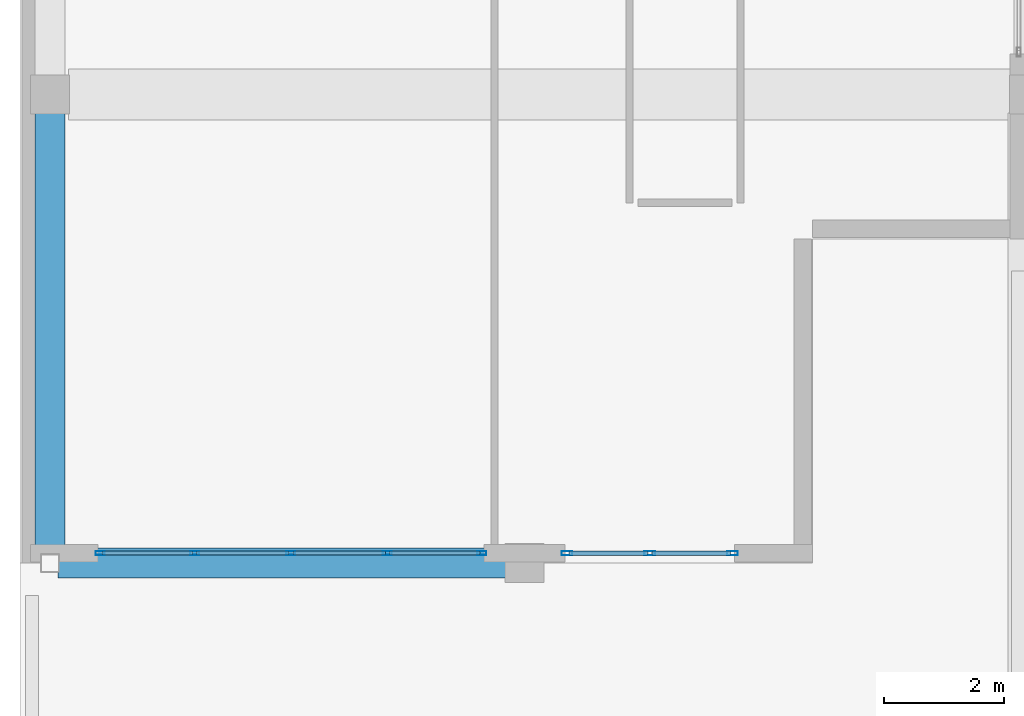
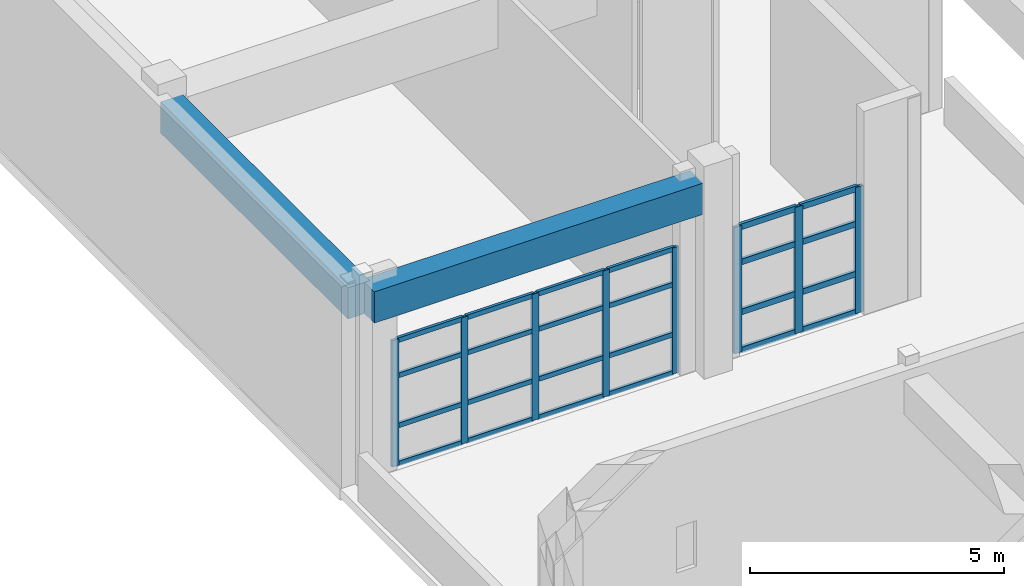
# One storey, part 11 of 78: 32 members, 2 beams, 2 elements without a shape of their own.
"""IFC4 building model written with IfcOpenShell, lengths in metres."""

from ifc_helpers import new_model, si_unit, direction, frame, origin, origin_2d, place, context, subcontext, project, spatial, rectangle, hollow_rectangle, extrude, material, layer, layer_set, material_profile, profile_set, type_object, element, aggregate, save


model = new_model("IFC4")

# Units and contexts
model_context = context("Model", 3, precision=1e-05, world=origin(), true_north=direction((0.0, 1.0)))
body_context = subcontext(model_context, "Body", "Model", "MODEL_VIEW")
ifc_project = project(units=[si_unit("LENGTHUNIT", "METRE"), si_unit("AREAUNIT", "SQUARE_METRE"), si_unit("VOLUMEUNIT", "CUBIC_METRE"), si_unit("PLANEANGLEUNIT", "RADIAN"), si_unit("MASSUNIT", "GRAM", prefix="KILO")], contexts=[model_context])

# Site, building, storey
site_placement = place(None, origin())
site = spatial("IfcSite", under=ifc_project, at=site_placement, CompositionType="ELEMENT")
building_placement = place(site_placement, origin())
building = spatial("IfcBuilding", under=site, at=building_placement, Name="Quendrovan Civic Courthouse", CompositionType="ELEMENT")
storey_placement = place(building_placement, frame((0.0, 0.0, 20.39990234375)))
storey = spatial("IfcBuildingStorey", under=building, at=storey_placement, Name="L05", CompositionType="ELEMENT", Elevation=20.39990234375)

# Beams
ifc_material_1 = material(Name="Concrete C40/50", Category="concrete")
ifc_material_profile_1 = material_profile(ifc_material_1, rectangle(XDim=0.5, YDim=0.75, at=origin_2d()), Name="RC-BM-500x750")
ifc_profile_set_1 = profile_set([ifc_material_profile_1], Name="Concrete C40/50")
beam_type = type_object("IfcBeamType", Name="BM-RC750", PredefinedType="SPANDREL", material=ifc_profile_set_1)
beam_1_placement = place(storey_placement, frame((0.6298828125, 23.39990234375, 4.28515625), z_axis=(1.0, 0.0, 0.0), x_axis=(0.0, 1.0, 0.0)))
element("IfcBeam", 1, at=beam_1_placement, inside=storey, type_object=beam_type, Name="L05 Girder X1023", PredefinedType="SPANDREL", context=body_context, shape_type="SweptSolid", body=[
    extrude(rectangle(XDim=0.5, YDim=0.75, at=origin_2d()), origin(), (0.0, 0.0, 1.0), 7.465087890625),
])
beam_2_placement = place(storey_placement, frame((0.5, 23.530029296875, 4.28515625), z_axis=(0.0, 1.0, 0.0), x_axis=(-1.0, 0.0, 0.0)))
element("IfcBeam", 2, at=beam_2_placement, inside=storey, type_object=beam_type, Name="L05 Girder Y1052", PredefinedType="SPANDREL", context=body_context, shape_type="SweptSolid", body=[
    extrude(rectangle(XDim=0.5, YDim=0.75, at=origin_2d()), origin(), (0.0, 0.0, 1.0), 7.364990234375),
])

# Curtain wall, members
ifc_material_2 = material(Name="Bronze anodised aluminium and low-E glass", Category="aluminium")
ifc_layer_1 = layer(ifc_material_2, 0.179931640625, Name="Bronze anodised aluminium and low-E glass")
ifc_layer_set_1 = layer_set([ifc_layer_1], Name="Bronze anodised aluminium and low-E glass")
curtain_wall_type_1 = type_object("IfcCurtainWallType", Name="CW-U28x30", PredefinedType="USERDEFINED", material=ifc_layer_set_1)
curtain_wall_1_placement = place(storey_placement, origin())
curtain_wall_1 = element("IfcCurtainWall", 3, at=curtain_wall_1_placement, inside=storey, type_object=curtain_wall_type_1, Name="L05 Unitised Hurricane Curtain Wall CW-188", ObjectType="UNITISED CURTAIN WALL", PredefinedType="USERDEFINED")
ifc_material_3 = material(Name="Bronze anodised aluminium", Category="aluminium")
ifc_material_profile_2 = material_profile(ifc_material_3, hollow_rectangle(XDim=0.070068359375, YDim=0.179931640625, WallThickness=0.00390625, at=origin_2d()), Name="CW-MULL-70x180")
ifc_profile_set_2 = profile_set([ifc_material_profile_2], Name="Bronze anodised aluminium")
member_type_1 = type_object("IfcMemberType", Name="CW-MULL-A", PredefinedType="MULLION", material=ifc_profile_set_2)
member_1_placement = place(storey_placement, frame((11.864990234375, 23.56494140625, 0.0), z_axis=(0.0, 0.0, 1.0), x_axis=(0.0, -1.0, 0.0)))
member_1 = element("IfcMember", 4, at=member_1_placement, type_object=member_type_1, Name="CW-188 mullion 1", PredefinedType="MULLION", context=body_context, shape_type="SweptSolid", body=[
    extrude(hollow_rectangle(XDim=0.070068359375, YDim=0.179931640625, WallThickness=0.00390625, at=origin_2d()), origin(), (0.0, 0.0, 1.0), 3.030029296875),
])
member_2_placement = place(storey_placement, frame((10.487548828125, 23.56494140625, 0.0), z_axis=(0.0, 0.0, 1.0), x_axis=(0.0, -1.0, 0.0)))
member_2 = element("IfcMember", 5, at=member_2_placement, type_object=member_type_1, Name="CW-188 mullion 2", PredefinedType="MULLION", context=body_context, shape_type="SweptSolid", body=[
    extrude(hollow_rectangle(XDim=0.070068359375, YDim=0.179931640625, WallThickness=0.00390625, at=origin_2d()), origin(), (0.0, 0.0, 1.0), 3.030029296875),
])
member_3_placement = place(storey_placement, frame((9.110107421875, 23.56494140625, 0.0), z_axis=(0.0, 0.0, 1.0), x_axis=(0.0, -1.0, 0.0)))
member_3 = element("IfcMember", 6, at=member_3_placement, type_object=member_type_1, Name="CW-188 mullion 3", PredefinedType="MULLION", context=body_context, shape_type="SweptSolid", body=[
    extrude(hollow_rectangle(XDim=0.070068359375, YDim=0.179931640625, WallThickness=0.00390625, at=origin_2d()), origin(), (0.0, 0.0, 1.0), 3.030029296875),
])

ifc_layer_2 = layer(ifc_material_2, 0.179931640625, Name="Bronze anodised aluminium and low-E glass")
ifc_layer_set_2 = layer_set([ifc_layer_2], Name="Bronze anodised aluminium and low-E glass")
curtain_wall_type_2 = type_object("IfcCurtainWallType", Name="CW-U64x30", PredefinedType="USERDEFINED", material=ifc_layer_set_2)
curtain_wall_2_placement = place(storey_placement, origin())
curtain_wall_2 = element("IfcCurtainWall", 7, at=curtain_wall_2_placement, inside=storey, type_object=curtain_wall_type_2, Name="L05 Unitised Hurricane Curtain Wall CW-189", ObjectType="UNITISED CURTAIN WALL", PredefinedType="USERDEFINED")
ifc_material_profile_3 = material_profile(ifc_material_3, hollow_rectangle(XDim=0.06494140625, YDim=0.14990234375, WallThickness=0.00390625, at=origin_2d()), Name="CW-MULL-65x150")
ifc_profile_set_3 = profile_set([ifc_material_profile_3], Name="Bronze anodised aluminium")
member_type_2 = type_object("IfcMemberType", Name="CW-MULL-B", PredefinedType="MULLION", material=ifc_profile_set_3)
member_4_placement = place(storey_placement, frame((7.6923828125, 23.56494140625, 0.0), z_axis=(0.0, 0.0, 1.0), x_axis=(0.0, -1.0, 0.0)))
member_4 = element("IfcMember", 8, at=member_4_placement, type_object=member_type_2, Name="CW-189 mullion 1", PredefinedType="MULLION", context=body_context, shape_type="SweptSolid", body=[
    extrude(hollow_rectangle(XDim=0.06494140625, YDim=0.14990234375, WallThickness=0.00390625, at=origin_2d()), origin(), (0.0, 0.0, 1.0), 3.030029296875),
])
member_5_placement = place(storey_placement, frame((6.11865234375, 23.56494140625, 0.0), z_axis=(0.0, 0.0, 1.0), x_axis=(0.0, -1.0, 0.0)))
member_5 = element("IfcMember", 9, at=member_5_placement, type_object=member_type_2, Name="CW-189 mullion 2", PredefinedType="MULLION", context=body_context, shape_type="SweptSolid", body=[
    extrude(hollow_rectangle(XDim=0.06494140625, YDim=0.14990234375, WallThickness=0.00390625, at=origin_2d()), origin(), (0.0, 0.0, 1.0), 3.030029296875),
])
member_6_placement = place(storey_placement, frame((4.512451171875, 23.56494140625, 0.0), z_axis=(0.0, 0.0, 1.0), x_axis=(0.0, -1.0, 0.0)))
member_6 = element("IfcMember", 10, at=member_6_placement, type_object=member_type_2, Name="CW-189 mullion 3", PredefinedType="MULLION", context=body_context, shape_type="SweptSolid", body=[
    extrude(hollow_rectangle(XDim=0.06494140625, YDim=0.14990234375, WallThickness=0.00390625, at=origin_2d()), origin(), (0.0, 0.0, 1.0), 3.030029296875),
])
member_7_placement = place(storey_placement, frame((2.90625, 23.56494140625, 0.0), z_axis=(0.0, 0.0, 1.0), x_axis=(0.0, -1.0, 0.0)))
member_7 = element("IfcMember", 11, at=member_7_placement, type_object=member_type_2, Name="CW-189 mullion 4", PredefinedType="MULLION", context=body_context, shape_type="SweptSolid", body=[
    extrude(hollow_rectangle(XDim=0.06494140625, YDim=0.14990234375, WallThickness=0.00390625, at=origin_2d()), origin(), (0.0, 0.0, 1.0), 3.030029296875),
])
member_8_placement = place(storey_placement, frame((1.33251953125, 23.56494140625, 0.0), z_axis=(0.0, 0.0, 1.0), x_axis=(0.0, -1.0, 0.0)))
member_8 = element("IfcMember", 12, at=member_8_placement, type_object=member_type_2, Name="CW-189 mullion 5", PredefinedType="MULLION", context=body_context, shape_type="SweptSolid", body=[
    extrude(hollow_rectangle(XDim=0.06494140625, YDim=0.14990234375, WallThickness=0.00390625, at=origin_2d()), origin(), (0.0, 0.0, 1.0), 3.030029296875),
])

# Member
ifc_material_profile_4 = material_profile(ifc_material_3, hollow_rectangle(XDim=0.070068359375, YDim=0.139892578125, WallThickness=0.00390625, at=origin_2d()), Name="CW-TRAN-70x140")
ifc_profile_set_4 = profile_set([ifc_material_profile_4], Name="Bronze anodised aluminium")
member_type_3 = type_object("IfcMemberType", Name="CW-TRAN-A", PredefinedType="USERDEFINED", material=ifc_profile_set_4)
member_9_placement = place(storey_placement, frame((11.830078125, 23.56494140625, 0.03515625), z_axis=(-1.0, 0.0, 0.0), x_axis=(0.0, -1.0, 0.0)))
member_9 = element("IfcMember", 13, at=member_9_placement, type_object=member_type_3, Name="CW-188 transom 1.1", ObjectType="TRANSOM", PredefinedType="USERDEFINED", context=body_context, shape_type="SweptSolid", body=[
    extrude(hollow_rectangle(XDim=0.070068359375, YDim=0.139892578125, WallThickness=0.00390625, at=origin_2d()), origin(), (0.0, 0.0, 1.0), 1.3076171875),
])

member_10_placement = place(storey_placement, frame((11.830078125, 23.56494140625, 0.9501953125), z_axis=(-1.0, 0.0, 0.0), x_axis=(0.0, -1.0, 0.0)))
member_10 = element("IfcMember", 14, at=member_10_placement, type_object=member_type_3, Name="CW-188 transom 1.2", ObjectType="TRANSOM", PredefinedType="USERDEFINED", context=body_context, shape_type="SweptSolid", body=[
    extrude(hollow_rectangle(XDim=0.070068359375, YDim=0.139892578125, WallThickness=0.00390625, at=origin_2d()), origin(), (0.0, 0.0, 1.0), 1.3076171875),
])

member_11_placement = place(storey_placement, frame((11.830078125, 23.56494140625, 2.150146484375), z_axis=(-1.0, 0.0, 0.0), x_axis=(0.0, -1.0, 0.0)))
member_11 = element("IfcMember", 15, at=member_11_placement, type_object=member_type_3, Name="CW-188 transom 1.3", ObjectType="TRANSOM", PredefinedType="USERDEFINED", context=body_context, shape_type="SweptSolid", body=[
    extrude(hollow_rectangle(XDim=0.070068359375, YDim=0.139892578125, WallThickness=0.00390625, at=origin_2d()), origin(), (0.0, 0.0, 1.0), 1.3076171875),
])

member_12_placement = place(storey_placement, frame((11.830078125, 23.56494140625, 2.9951171875), z_axis=(-1.0, 0.0, 0.0), x_axis=(0.0, -1.0, 0.0)))
member_12 = element("IfcMember", 16, at=member_12_placement, type_object=member_type_3, Name="CW-188 transom 1.4", ObjectType="TRANSOM", PredefinedType="USERDEFINED", context=body_context, shape_type="SweptSolid", body=[
    extrude(hollow_rectangle(XDim=0.070068359375, YDim=0.139892578125, WallThickness=0.00390625, at=origin_2d()), origin(), (0.0, 0.0, 1.0), 1.3076171875),
])

member_13_placement = place(storey_placement, frame((10.452392578125, 23.56494140625, 0.03515625), z_axis=(-1.0, 0.0, 0.0), x_axis=(0.0, -1.0, 0.0)))
member_13 = element("IfcMember", 17, at=member_13_placement, type_object=member_type_3, Name="CW-188 transom 2.1", ObjectType="TRANSOM", PredefinedType="USERDEFINED", context=body_context, shape_type="SweptSolid", body=[
    extrude(hollow_rectangle(XDim=0.070068359375, YDim=0.139892578125, WallThickness=0.00390625, at=origin_2d()), origin(), (0.0, 0.0, 1.0), 1.307373046875),
])

member_14_placement = place(storey_placement, frame((10.452392578125, 23.56494140625, 0.9501953125), z_axis=(-1.0, 0.0, 0.0), x_axis=(0.0, -1.0, 0.0)))
member_14 = element("IfcMember", 18, at=member_14_placement, type_object=member_type_3, Name="CW-188 transom 2.2", ObjectType="TRANSOM", PredefinedType="USERDEFINED", context=body_context, shape_type="SweptSolid", body=[
    extrude(hollow_rectangle(XDim=0.070068359375, YDim=0.139892578125, WallThickness=0.00390625, at=origin_2d()), origin(), (0.0, 0.0, 1.0), 1.307373046875),
])

member_15_placement = place(storey_placement, frame((10.452392578125, 23.56494140625, 2.150146484375), z_axis=(-1.0, 0.0, 0.0), x_axis=(0.0, -1.0, 0.0)))
member_15 = element("IfcMember", 19, at=member_15_placement, type_object=member_type_3, Name="CW-188 transom 2.3", ObjectType="TRANSOM", PredefinedType="USERDEFINED", context=body_context, shape_type="SweptSolid", body=[
    extrude(hollow_rectangle(XDim=0.070068359375, YDim=0.139892578125, WallThickness=0.00390625, at=origin_2d()), origin(), (0.0, 0.0, 1.0), 1.307373046875),
])

member_16_placement = place(storey_placement, frame((10.452392578125, 23.56494140625, 2.9951171875), z_axis=(-1.0, 0.0, 0.0), x_axis=(0.0, -1.0, 0.0)))
member_16 = element("IfcMember", 20, at=member_16_placement, type_object=member_type_3, Name="CW-188 transom 2.4", ObjectType="TRANSOM", PredefinedType="USERDEFINED", context=body_context, shape_type="SweptSolid", body=[
    extrude(hollow_rectangle(XDim=0.070068359375, YDim=0.139892578125, WallThickness=0.00390625, at=origin_2d()), origin(), (0.0, 0.0, 1.0), 1.307373046875),
])

aggregate(curtain_wall_1, [member_1, member_2, member_3, member_9, member_10, member_11, member_12, member_13, member_14, member_15, member_16])

ifc_material_profile_5 = material_profile(ifc_material_3, hollow_rectangle(XDim=0.06494140625, YDim=0.114990234375, WallThickness=0.00390625, at=origin_2d()), Name="CW-TRAN-65x115")
ifc_profile_set_5 = profile_set([ifc_material_profile_5], Name="Bronze anodised aluminium")
member_type_4 = type_object("IfcMemberType", Name="CW-TRAN-B", PredefinedType="USERDEFINED", material=ifc_profile_set_5)
member_17_placement = place(storey_placement, frame((7.659912109375, 23.56494140625, 0.03271484375), z_axis=(-1.0, 0.0, 0.0), x_axis=(0.0, -1.0, 0.0)))
member_17 = element("IfcMember", 21, at=member_17_placement, type_object=member_type_4, Name="CW-189 transom 1.1", ObjectType="TRANSOM", PredefinedType="USERDEFINED", context=body_context, shape_type="SweptSolid", body=[
    extrude(hollow_rectangle(XDim=0.06494140625, YDim=0.114990234375, WallThickness=0.00390625, at=origin_2d()), origin(), (0.0, 0.0, 1.0), 1.508544921875),
])

member_18_placement = place(storey_placement, frame((7.659912109375, 23.56494140625, 0.9501953125), z_axis=(-1.0, 0.0, 0.0), x_axis=(0.0, -1.0, 0.0)))
member_18 = element("IfcMember", 22, at=member_18_placement, type_object=member_type_4, Name="CW-189 transom 1.2", ObjectType="TRANSOM", PredefinedType="USERDEFINED", context=body_context, shape_type="SweptSolid", body=[
    extrude(hollow_rectangle(XDim=0.06494140625, YDim=0.114990234375, WallThickness=0.00390625, at=origin_2d()), origin(), (0.0, 0.0, 1.0), 1.508544921875),
])

member_19_placement = place(storey_placement, frame((7.659912109375, 23.56494140625, 2.150146484375), z_axis=(-1.0, 0.0, 0.0), x_axis=(0.0, -1.0, 0.0)))
member_19 = element("IfcMember", 23, at=member_19_placement, type_object=member_type_4, Name="CW-189 transom 1.3", ObjectType="TRANSOM", PredefinedType="USERDEFINED", context=body_context, shape_type="SweptSolid", body=[
    extrude(hollow_rectangle(XDim=0.06494140625, YDim=0.114990234375, WallThickness=0.00390625, at=origin_2d()), origin(), (0.0, 0.0, 1.0), 1.508544921875),
])

member_20_placement = place(storey_placement, frame((7.659912109375, 23.56494140625, 2.99755859375), z_axis=(-1.0, 0.0, 0.0), x_axis=(0.0, -1.0, 0.0)))
member_20 = element("IfcMember", 24, at=member_20_placement, type_object=member_type_4, Name="CW-189 transom 1.4", ObjectType="TRANSOM", PredefinedType="USERDEFINED", context=body_context, shape_type="SweptSolid", body=[
    extrude(hollow_rectangle(XDim=0.06494140625, YDim=0.114990234375, WallThickness=0.00390625, at=origin_2d()), origin(), (0.0, 0.0, 1.0), 1.508544921875),
])

member_21_placement = place(storey_placement, frame((6.086181640625, 23.56494140625, 0.03271484375), z_axis=(-1.0, 0.0, 0.0), x_axis=(0.0, -1.0, 0.0)))
member_21 = element("IfcMember", 25, at=member_21_placement, type_object=member_type_4, Name="CW-189 transom 2.1", ObjectType="TRANSOM", PredefinedType="USERDEFINED", context=body_context, shape_type="SweptSolid", body=[
    extrude(hollow_rectangle(XDim=0.06494140625, YDim=0.114990234375, WallThickness=0.00390625, at=origin_2d()), origin(), (0.0, 0.0, 1.0), 1.541259765625),
])

member_22_placement = place(storey_placement, frame((6.086181640625, 23.56494140625, 0.9501953125), z_axis=(-1.0, 0.0, 0.0), x_axis=(0.0, -1.0, 0.0)))
member_22 = element("IfcMember", 26, at=member_22_placement, type_object=member_type_4, Name="CW-189 transom 2.2", ObjectType="TRANSOM", PredefinedType="USERDEFINED", context=body_context, shape_type="SweptSolid", body=[
    extrude(hollow_rectangle(XDim=0.06494140625, YDim=0.114990234375, WallThickness=0.00390625, at=origin_2d()), origin(), (0.0, 0.0, 1.0), 1.541259765625),
])

member_23_placement = place(storey_placement, frame((6.086181640625, 23.56494140625, 2.150146484375), z_axis=(-1.0, 0.0, 0.0), x_axis=(0.0, -1.0, 0.0)))
member_23 = element("IfcMember", 27, at=member_23_placement, type_object=member_type_4, Name="CW-189 transom 2.3", ObjectType="TRANSOM", PredefinedType="USERDEFINED", context=body_context, shape_type="SweptSolid", body=[
    extrude(hollow_rectangle(XDim=0.06494140625, YDim=0.114990234375, WallThickness=0.00390625, at=origin_2d()), origin(), (0.0, 0.0, 1.0), 1.541259765625),
])

member_24_placement = place(storey_placement, frame((6.086181640625, 23.56494140625, 2.99755859375), z_axis=(-1.0, 0.0, 0.0), x_axis=(0.0, -1.0, 0.0)))
member_24 = element("IfcMember", 28, at=member_24_placement, type_object=member_type_4, Name="CW-189 transom 2.4", ObjectType="TRANSOM", PredefinedType="USERDEFINED", context=body_context, shape_type="SweptSolid", body=[
    extrude(hollow_rectangle(XDim=0.06494140625, YDim=0.114990234375, WallThickness=0.00390625, at=origin_2d()), origin(), (0.0, 0.0, 1.0), 1.541259765625),
])

member_25_placement = place(storey_placement, frame((4.47998046875, 23.56494140625, 0.03271484375), z_axis=(-1.0, 0.0, 0.0), x_axis=(0.0, -1.0, 0.0)))
member_25 = element("IfcMember", 29, at=member_25_placement, type_object=member_type_4, Name="CW-189 transom 3.1", ObjectType="TRANSOM", PredefinedType="USERDEFINED", context=body_context, shape_type="SweptSolid", body=[
    extrude(hollow_rectangle(XDim=0.06494140625, YDim=0.114990234375, WallThickness=0.00390625, at=origin_2d()), origin(), (0.0, 0.0, 1.0), 1.541259765625),
])

member_26_placement = place(storey_placement, frame((4.47998046875, 23.56494140625, 0.9501953125), z_axis=(-1.0, 0.0, 0.0), x_axis=(0.0, -1.0, 0.0)))
member_26 = element("IfcMember", 30, at=member_26_placement, type_object=member_type_4, Name="CW-189 transom 3.2", ObjectType="TRANSOM", PredefinedType="USERDEFINED", context=body_context, shape_type="SweptSolid", body=[
    extrude(hollow_rectangle(XDim=0.06494140625, YDim=0.114990234375, WallThickness=0.00390625, at=origin_2d()), origin(), (0.0, 0.0, 1.0), 1.541259765625),
])

member_27_placement = place(storey_placement, frame((4.47998046875, 23.56494140625, 2.150146484375), z_axis=(-1.0, 0.0, 0.0), x_axis=(0.0, -1.0, 0.0)))
member_27 = element("IfcMember", 31, at=member_27_placement, type_object=member_type_4, Name="CW-189 transom 3.3", ObjectType="TRANSOM", PredefinedType="USERDEFINED", context=body_context, shape_type="SweptSolid", body=[
    extrude(hollow_rectangle(XDim=0.06494140625, YDim=0.114990234375, WallThickness=0.00390625, at=origin_2d()), origin(), (0.0, 0.0, 1.0), 1.541259765625),
])

member_28_placement = place(storey_placement, frame((4.47998046875, 23.56494140625, 2.99755859375), z_axis=(-1.0, 0.0, 0.0), x_axis=(0.0, -1.0, 0.0)))
member_28 = element("IfcMember", 32, at=member_28_placement, type_object=member_type_4, Name="CW-189 transom 3.4", ObjectType="TRANSOM", PredefinedType="USERDEFINED", context=body_context, shape_type="SweptSolid", body=[
    extrude(hollow_rectangle(XDim=0.06494140625, YDim=0.114990234375, WallThickness=0.00390625, at=origin_2d()), origin(), (0.0, 0.0, 1.0), 1.541259765625),
])

member_29_placement = place(storey_placement, frame((2.873779296875, 23.56494140625, 0.03271484375), z_axis=(-1.0, 0.0, 0.0), x_axis=(0.0, -1.0, 0.0)))
member_29 = element("IfcMember", 33, at=member_29_placement, type_object=member_type_4, Name="CW-189 transom 4.1", ObjectType="TRANSOM", PredefinedType="USERDEFINED", context=body_context, shape_type="SweptSolid", body=[
    extrude(hollow_rectangle(XDim=0.06494140625, YDim=0.114990234375, WallThickness=0.00390625, at=origin_2d()), origin(), (0.0, 0.0, 1.0), 1.5087890625),
])

member_30_placement = place(storey_placement, frame((2.873779296875, 23.56494140625, 0.9501953125), z_axis=(-1.0, 0.0, 0.0), x_axis=(0.0, -1.0, 0.0)))
member_30 = element("IfcMember", 34, at=member_30_placement, type_object=member_type_4, Name="CW-189 transom 4.2", ObjectType="TRANSOM", PredefinedType="USERDEFINED", context=body_context, shape_type="SweptSolid", body=[
    extrude(hollow_rectangle(XDim=0.06494140625, YDim=0.114990234375, WallThickness=0.00390625, at=origin_2d()), origin(), (0.0, 0.0, 1.0), 1.5087890625),
])

member_31_placement = place(storey_placement, frame((2.873779296875, 23.56494140625, 2.150146484375), z_axis=(-1.0, 0.0, 0.0), x_axis=(0.0, -1.0, 0.0)))
member_31 = element("IfcMember", 35, at=member_31_placement, type_object=member_type_4, Name="CW-189 transom 4.3", ObjectType="TRANSOM", PredefinedType="USERDEFINED", context=body_context, shape_type="SweptSolid", body=[
    extrude(hollow_rectangle(XDim=0.06494140625, YDim=0.114990234375, WallThickness=0.00390625, at=origin_2d()), origin(), (0.0, 0.0, 1.0), 1.5087890625),
])

member_32_placement = place(storey_placement, frame((2.873779296875, 23.56494140625, 2.99755859375), z_axis=(-1.0, 0.0, 0.0), x_axis=(0.0, -1.0, 0.0)))
member_32 = element("IfcMember", 36, at=member_32_placement, type_object=member_type_4, Name="CW-189 transom 4.4", ObjectType="TRANSOM", PredefinedType="USERDEFINED", context=body_context, shape_type="SweptSolid", body=[
    extrude(hollow_rectangle(XDim=0.06494140625, YDim=0.114990234375, WallThickness=0.00390625, at=origin_2d()), origin(), (0.0, 0.0, 1.0), 1.5087890625),
])

aggregate(curtain_wall_2, [member_4, member_5, member_6, member_7, member_8, member_17, member_18, member_19, member_20, member_21, member_22, member_23, member_24, member_25, member_26, member_27, member_28, member_29, member_30, member_31, member_32])

save(model, "model.ifc")
